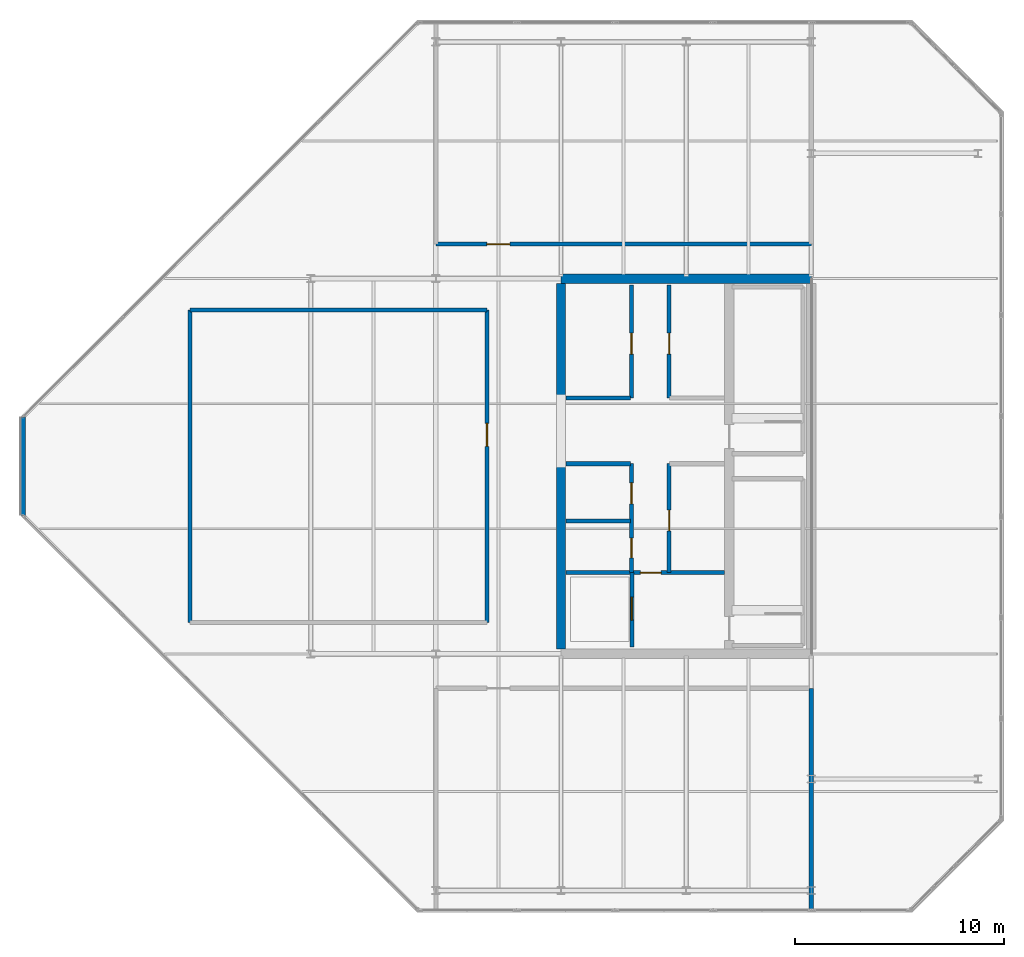
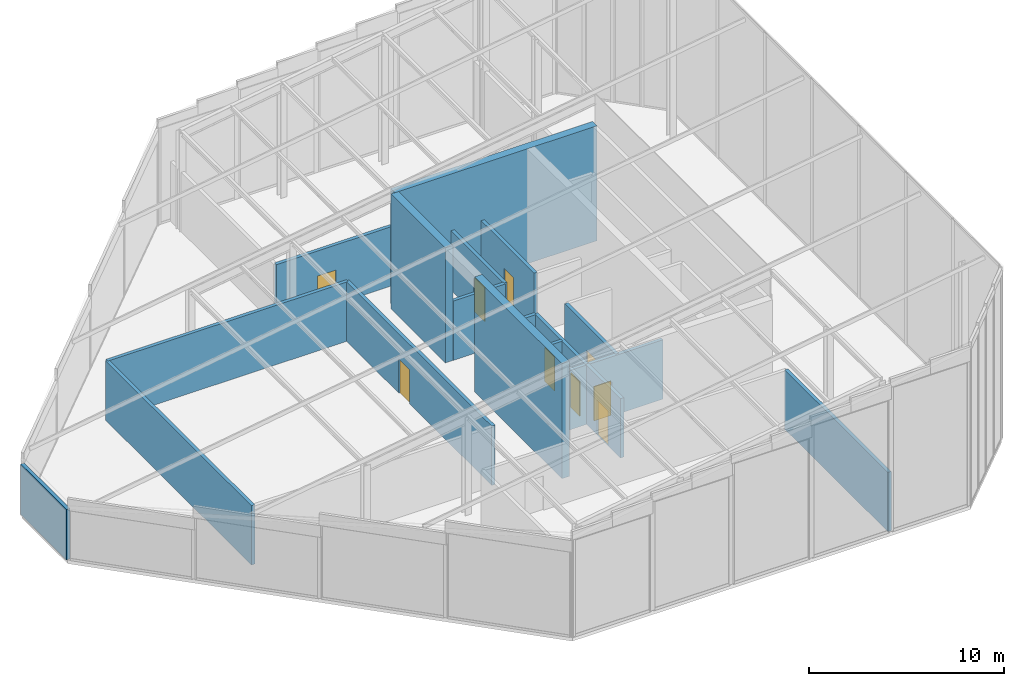
# One storey, part 25 of 30: 18 walls, 9 doors, 9 openings.
"""IFC4 building model written with IfcOpenShell, lengths in metres."""

from ifc_helpers import new_model, si_unit, direction, frame, frame_2d, origin, place, context, subcontext, project, spatial, rectangle, extrude, material, layer, layer_set, type_object, element, fill, save


model = new_model("IFC4")

# Units and contexts
model_context = context("Model", 3, precision=1e-05, world=origin(), true_north=direction((0.0, 1.0)))
body_context = subcontext(model_context, "Body", "Model", "MODEL_VIEW")
ifc_project = project(units=[si_unit("LENGTHUNIT", "METRE"), si_unit("AREAUNIT", "SQUARE_METRE"), si_unit("VOLUMEUNIT", "CUBIC_METRE"), si_unit("PLANEANGLEUNIT", "RADIAN"), si_unit("MASSUNIT", "GRAM", prefix="KILO")], contexts=[model_context])

# Site, building, storey
site_placement = place(None, origin())
site = spatial("IfcSite", under=ifc_project, at=site_placement, CompositionType="ELEMENT")
building_placement = place(site_placement, origin())
building = spatial("IfcBuilding", under=site, at=building_placement, Name="Tanjung Sevakor Pilgrim Tower", CompositionType="ELEMENT")
storey_placement = place(building_placement, frame((0.0, 0.0, 287.760009765625)))
storey = spatial("IfcBuildingStorey", under=building, at=storey_placement, Name="L80", CompositionType="ELEMENT", Elevation=287.760009765625)

# Walls
ifc_material_1 = material(Name="Concrete C60/75", Category="concrete")
ifc_layer_1 = layer(ifc_material_1, 0.449951171875)
ifc_layer_set_1 = layer_set([ifc_layer_1], Name="WALL-CW-450")
wall_type_1 = type_object("IfcWallType", Name="WALL-CW-450", PredefinedType="SHEAR", material=ifc_layer_set_1)
wall_1_placement = place(storey_placement, frame((90.0, 42.60009765625, 0.0), z_axis=(0.0, 0.0, 1.0), x_axis=(-1.0, 0.0, 0.0)))
element("IfcWall", 1, at=wall_1_placement, inside=storey, type_object=wall_type_1, Name="L80 E Core North Shear Wall", PredefinedType="SHEAR", context=body_context, shape_type="SweptSolid", body=[
    extrude(rectangle(XDim=12.0, YDim=0.449951171875, at=frame_2d((6.0, 0.0))), origin(), (0.0, 0.0, 1.0), 7.209228515625),
])
wall_2_placement = place(storey_placement, frame((78.0, 24.824951171875, 0.0), z_axis=(0.0, 0.0, 1.0), x_axis=(0.0, 1.0, 0.0)))
element("IfcWall", 2, at=wall_2_placement, inside=storey, type_object=wall_type_1, Name="L80 E Core Inner Shear Wall South", PredefinedType="SHEAR", context=body_context, shape_type="SweptSolid", body=[
    extrude(rectangle(XDim=8.97509765625, YDim=0.449951171875, at=frame_2d((4.487548828125, 0.0))), origin(), (0.0, 0.0, 1.0), 7.209228515625),
])
wall_3_placement = place(storey_placement, frame((78.0, 36.800048828125, 0.0), z_axis=(0.0, 0.0, 1.0), x_axis=(0.0, 1.0, 0.0)))
element("IfcWall", 3, at=wall_3_placement, inside=storey, type_object=wall_type_1, Name="L80 E Core Inner Shear Wall North", PredefinedType="SHEAR", context=body_context, shape_type="SweptSolid", body=[
    extrude(rectangle(XDim=5.574951171875, YDim=0.449951171875, at=frame_2d((2.78759765625, 0.0))), origin(), (0.0, 0.0, 1.0), 7.209228515625),
])
ifc_material_2 = material(Name="Precast concrete C45/55", Category="concrete")
ifc_layer_2 = layer(ifc_material_2, 0.219970703125)
ifc_layer_set_2 = layer_set([ifc_layer_2], Name="WT-EW-STN4")
wall_type_2 = type_object("IfcWallType", Name="WT-EW-STN4", PredefinedType="SOLIDWALL", material=ifc_layer_set_2)
wall_4_placement = place(storey_placement, frame((52.2099609375, 35.954345703125, 0.0), z_axis=(0.0, 0.0, 1.0), x_axis=(0.0, -1.0, 0.0)))
element("IfcWall", 4, at=wall_4_placement, inside=storey, type_object=wall_type_2, Name="L80 EAST Exterior Wall 7", PredefinedType="SOLIDWALL", context=body_context, shape_type="SweptSolid", body=[
    extrude(rectangle(XDim=4.708740234375, YDim=0.219970703125, at=frame_2d((2.3544921875, 0.0))), origin(), (0.0, 0.0, 1.0), 3.1572265625),
])

# Wall, opening, door
ifc_material_3 = material(Name="Concrete C40/50", Category="concrete")
ifc_layer_3 = layer(ifc_material_3, 0.199951171875)
ifc_layer_set_3 = layer_set([ifc_layer_3], Name="WT-FPRT-200")
wall_type_3 = type_object("IfcWallType", Name="WT-FPRT-200", PredefinedType="SOLIDWALL", material=ifc_layer_set_3)
wall_5_placement = place(storey_placement, frame((81.39990234375, 24.919921875, 0.0), z_axis=(0.0, 0.0, 1.0), x_axis=(0.0, 1.0, 0.0)))
wall_5 = element("IfcWall", 5, at=wall_5_placement, inside=storey, type_object=wall_type_3, Name="L80 Partition IW-L80-001", PredefinedType="SOLIDWALL", context=body_context, shape_type="SweptSolid", body=[
    extrude(rectangle(XDim=3.580078125, YDim=0.199951171875, at=frame_2d((1.7900390625, 0.0))), origin(), (0.0, 0.0, 1.0), 3.719970703125),
])
opening_1_placement = place(wall_5_placement, frame((1.300048828125, 0.0, 0.0)))
opening_1 = element("IfcOpeningElement", 6, at=opening_1_placement, cuts=wall_5, Name="Opening LD-1100", PredefinedType="OPENING", context=body_context, shape_type="SweptSolid", body=[
    extrude(rectangle(XDim=1.10009765625, YDim=2.199951171875, at=frame_2d((0.550048828125, 1.10009765625))), frame((0.0, 0.10986328125, 0.0), z_axis=(0.0, -1.0, 0.0), x_axis=(1.0, 0.0, 0.0)), (0.0, 0.0, 1.0), 0.219970703125),
])
ifc_material_4 = material(Name="Brushed Stainless Steel S355J2", Category="steel")
door_type_1 = type_object("IfcDoorType", Name="DT-LIFT-1100", OperationType="SLIDING_TO_LEFT", PredefinedType="DOOR", material=ifc_material_4)
door_1_placement = place(opening_1_placement, origin())
door_1 = element("IfcDoor", 7, at=door_1_placement, inside=storey, type_object=door_type_1, Name="LD-FL-E", OperationType="SLIDING_TO_LEFT", OverallHeight=2.199951171875, OverallWidth=1.10009765625, PredefinedType="DOOR", context=body_context, shape_type="SweptSolid", body=[
    extrude(rectangle(XDim=1.10009765625, YDim=2.199951171875, at=frame_2d((0.550048828125, 1.10009765625))), frame((0.0, 0.02490234375, 0.0), z_axis=(0.0, -1.0, 0.0), x_axis=(1.0, 0.0, 0.0)), (0.0, 0.0, 1.0), 0.050048828125),
])
fill(opening_1, door_1)

wall_6_placement = place(storey_placement, frame((78.2451171875, 28.5, 0.0), z_axis=(0.0, 0.0, 1.0), x_axis=(1.0, 0.0, 0.0)))
wall_6 = element("IfcWall", 8, at=wall_6_placement, inside=storey, type_object=wall_type_3, Name="L80 Partition IW-L80-002", PredefinedType="SOLIDWALL", context=body_context, shape_type="SweptSolid", body=[
    extrude(rectangle(XDim=7.5849609375, YDim=0.199951171875, at=frame_2d((3.79248046875, 0.0))), origin(), (0.0, 0.0, 1.0), 3.719970703125),
])
opening_2_placement = place(wall_6_placement, frame((3.554931640625, 0.0, 0.0)))
opening_2 = element("IfcOpeningElement", 9, at=opening_2_placement, cuts=wall_6, Name="Opening ID-FD1", PredefinedType="OPENING", context=body_context, shape_type="SweptSolid", body=[
    extrude(rectangle(XDim=1.0, YDim=2.14990234375, at=frame_2d((0.5, 1.074951171875))), frame((0.0, 0.10986328125, 0.0), z_axis=(0.0, -1.0, 0.0), x_axis=(1.0, 0.0, 0.0)), (0.0, 0.0, 1.0), 0.219970703125),
])
ifc_material_5 = material(Name="Fire-Rated Steel S355J2", Category="steel")
door_type_2 = type_object("IfcDoorType", Name="DT-FIRE-1000", OperationType="NOTDEFINED", PredefinedType="DOOR", material=ifc_material_5)
door_2_placement = place(opening_2_placement, origin())
door_2 = element("IfcDoor", 10, at=door_2_placement, inside=storey, type_object=door_type_2, Name="Fire Lobby Door E", OperationType="SINGLE_SWING_RIGHT", OverallHeight=2.14990234375, OverallWidth=1.0, PredefinedType="DOOR", context=body_context, shape_type="SweptSolid", body=[
    extrude(rectangle(XDim=1.0, YDim=2.14990234375, at=frame_2d((0.5, 1.074951171875))), frame((0.0, 0.02490234375, 0.0), z_axis=(0.0, -1.0, 0.0), x_axis=(1.0, 0.0, 0.0)), (0.0, 0.0, 1.0), 0.050048828125),
])
fill(opening_2, door_2)

wall_7_placement = place(storey_placement, frame((83.179931640625, 28.5, 0.0), z_axis=(0.0, 0.0, 1.0), x_axis=(0.0, 1.0, 0.0)))
wall_7 = element("IfcWall", 11, at=wall_7_placement, inside=storey, type_object=wall_type_3, Name="L80 Partition IW-L80-004", PredefinedType="SOLIDWALL", context=body_context, shape_type="SweptSolid", body=[
    extrude(rectangle(XDim=5.219970703125, YDim=0.199951171875, at=frame_2d((2.60986328125, 0.0))), origin(), (0.0, 0.0, 1.0), 3.719970703125),
])
opening_3_placement = place(wall_7_placement, frame((2.0, 0.0, 0.0)))
opening_3 = element("IfcOpeningElement", 12, at=opening_3_placement, cuts=wall_7, Name="Opening ID-FD1", PredefinedType="OPENING", context=body_context, shape_type="SweptSolid", body=[
    extrude(rectangle(XDim=1.0, YDim=2.14990234375, at=frame_2d((0.5, 1.074951171875))), frame((0.0, 0.10986328125, 0.0), z_axis=(0.0, -1.0, 0.0), x_axis=(1.0, 0.0, 0.0)), (0.0, 0.0, 1.0), 0.219970703125),
])
door_3_placement = place(opening_3_placement, origin())
door_3 = element("IfcDoor", 13, at=door_3_placement, inside=storey, type_object=door_type_2, Name="L80 Core Plant Door", OperationType="SINGLE_SWING_LEFT", OverallHeight=2.14990234375, OverallWidth=1.0, PredefinedType="DOOR", context=body_context, shape_type="SweptSolid", body=[
    extrude(rectangle(XDim=1.0, YDim=2.14990234375, at=frame_2d((0.5, 1.074951171875))), frame((0.0, 0.02490234375, 0.0), z_axis=(0.0, -1.0, 0.0), x_axis=(1.0, 0.0, 0.0)), (0.0, 0.0, 1.0), 0.050048828125),
])
fill(opening_3, door_3)

# Walls
for number, where, z_axis, x_axis, name in (
    (14, (78.2451171875, 30.97998046875, 0.0), (0.0, 0.0, 1.0), (1.0, 0.0, 0.0), "L80 Partition IW-L80-005"),
    (15, (78.2451171875, 33.719970703125, 0.0), (0.0, 0.0, 1.0), (1.0, 0.0, 0.0), "L80 Partition IW-L80-006"),
):
    element("IfcWall", number, at=place(storey_placement, frame(where, z_axis=z_axis, x_axis=x_axis)), inside=storey, type_object=wall_type_3, Name=name, PredefinedType="SOLIDWALL", context=body_context, shape_type="SweptSolid", body=[
        extrude(rectangle(XDim=3.074951171875, YDim=0.199951171875, at=frame_2d((1.53759765625, 0.0))), origin(), (0.0, 0.0, 1.0), 3.719970703125),
    ])

# Wall, openings, doors
wall_8_placement = place(storey_placement, frame((81.3798828125, 28.5, 0.0), z_axis=(0.0, 0.0, 1.0), x_axis=(0.0, 1.0, 0.0)))
wall_8 = element("IfcWall", 16, at=wall_8_placement, inside=storey, type_object=wall_type_3, Name="L80 Partition IW-L80-007", PredefinedType="SOLIDWALL", context=body_context, shape_type="SweptSolid", body=[
    extrude(rectangle(XDim=5.219970703125, YDim=0.199951171875, at=frame_2d((2.60986328125, 0.0))), origin(), (0.0, 0.0, 1.0), 3.719970703125),
])
opening_4_placement = place(wall_8_placement, frame((0.699951171875, 0.0, 0.0)))
opening_4 = element("IfcOpeningElement", 17, at=opening_4_placement, cuts=wall_8, Name="Opening ID-FD2", PredefinedType="OPENING", context=body_context, shape_type="SweptSolid", body=[
    extrude(rectangle(XDim=0.949951171875, YDim=2.14990234375, at=frame_2d((0.47509765625, 1.074951171875))), frame((0.0, 0.10986328125, 0.0), z_axis=(0.0, -1.0, 0.0), x_axis=(1.0, 0.0, 0.0)), (0.0, 0.0, 1.0), 0.219970703125),
])
opening_5_placement = place(wall_8_placement, frame((3.300048828125, 0.0, 0.0)))
opening_5 = element("IfcOpeningElement", 18, at=opening_5_placement, cuts=wall_8, Name="Opening ID-FD1", PredefinedType="OPENING", context=body_context, shape_type="SweptSolid", body=[
    extrude(rectangle(XDim=1.0, YDim=2.14990234375, at=frame_2d((0.5, 1.074951171875))), frame((0.0, 0.10986328125, 0.0), z_axis=(0.0, -1.0, 0.0), x_axis=(1.0, 0.0, 0.0)), (0.0, 0.0, 1.0), 0.219970703125),
])
door_4_placement = place(opening_5_placement, origin())
door_4 = element("IfcDoor", 19, at=door_4_placement, inside=storey, type_object=door_type_2, Name="L80 Core AHU Plant Door", OperationType="SINGLE_SWING_LEFT", OverallHeight=2.14990234375, OverallWidth=1.0, PredefinedType="DOOR", context=body_context, shape_type="SweptSolid", body=[
    extrude(rectangle(XDim=1.0, YDim=2.14990234375, at=frame_2d((0.5, 1.074951171875))), frame((0.0, 0.02490234375, 0.0), z_axis=(0.0, -1.0, 0.0), x_axis=(1.0, 0.0, 0.0)), (0.0, 0.0, 1.0), 0.050048828125),
])
fill(opening_5, door_4)
ifc_material_6 = material(Name="Fire-Rated Timber", Category="wood")
door_type_3 = type_object("IfcDoorType", Name="DT-FIRE-950", OperationType="NOTDEFINED", PredefinedType="DOOR", material=ifc_material_6)
door_5_placement = place(opening_4_placement, origin())
door_5 = element("IfcDoor", 20, at=door_5_placement, inside=storey, type_object=door_type_3, Name="L80 Core Accessible WC Door", OperationType="SINGLE_SWING_RIGHT", OverallHeight=2.14990234375, OverallWidth=0.949951171875, PredefinedType="DOOR", context=body_context, shape_type="SweptSolid", body=[
    extrude(rectangle(XDim=0.949951171875, YDim=2.14990234375, at=frame_2d((0.47509765625, 1.074951171875))), frame((0.0, 0.02490234375, 0.0), z_axis=(0.0, -1.0, 0.0), x_axis=(1.0, 0.0, 0.0)), (0.0, 0.0, 1.0), 0.050048828125),
])
fill(opening_4, door_5)

# Wall, opening, door
wall_9_placement = place(storey_placement, frame((83.179931640625, 36.8798828125, 0.0), z_axis=(0.0, 0.0, 1.0), x_axis=(0.0, 1.0, 0.0)))
wall_9 = element("IfcWall", 21, at=wall_9_placement, inside=storey, type_object=wall_type_3, Name="L80 Partition IW-L80-009", PredefinedType="SOLIDWALL", context=body_context, shape_type="SweptSolid", body=[
    extrude(rectangle(XDim=5.420166015625, YDim=0.199951171875, at=frame_2d((2.7099609375, 0.0))), origin(), (0.0, 0.0, 1.0), 3.719970703125),
])
opening_6_placement = place(wall_9_placement, frame((2.10009765625, 0.0, 0.0)))
opening_6 = element("IfcOpeningElement", 22, at=opening_6_placement, cuts=wall_9, Name="Opening ID-FD1", PredefinedType="OPENING", context=body_context, shape_type="SweptSolid", body=[
    extrude(rectangle(XDim=1.0, YDim=2.14990234375, at=frame_2d((0.5, 1.074951171875))), frame((0.0, 0.10986328125, 0.0), z_axis=(0.0, -1.0, 0.0), x_axis=(1.0, 0.0, 0.0)), (0.0, 0.0, 1.0), 0.219970703125),
])
door_6_placement = place(opening_6_placement, origin())
door_6 = element("IfcDoor", 23, at=door_6_placement, inside=storey, type_object=door_type_2, Name="L80 Core Switchroom Door", OperationType="SINGLE_SWING_RIGHT", OverallHeight=2.14990234375, OverallWidth=1.0, PredefinedType="DOOR", context=body_context, shape_type="SweptSolid", body=[
    extrude(rectangle(XDim=1.0, YDim=2.14990234375, at=frame_2d((0.5, 1.074951171875))), frame((0.0, 0.02490234375, 0.0), z_axis=(0.0, -1.0, 0.0), x_axis=(1.0, 0.0, 0.0)), (0.0, 0.0, 1.0), 0.050048828125),
])
fill(opening_6, door_6)

# Wall
wall_10_placement = place(storey_placement, frame((78.2451171875, 36.8798828125, 0.0), z_axis=(0.0, 0.0, 1.0), x_axis=(1.0, 0.0, 0.0)))
element("IfcWall", 24, at=wall_10_placement, inside=storey, type_object=wall_type_3, Name="L80 Partition IW-L80-010", PredefinedType="SOLIDWALL", context=body_context, shape_type="SweptSolid", body=[
    extrude(rectangle(XDim=3.074951171875, YDim=0.199951171875, at=frame_2d((1.53759765625, 0.0))), origin(), (0.0, 0.0, 1.0), 3.719970703125),
])

# Wall, opening, door
wall_11_placement = place(storey_placement, frame((81.3798828125, 36.8798828125, 0.0), z_axis=(0.0, 0.0, 1.0), x_axis=(0.0, 1.0, 0.0)))
wall_11 = element("IfcWall", 25, at=wall_11_placement, inside=storey, type_object=wall_type_3, Name="L80 Partition IW-L80-011", PredefinedType="SOLIDWALL", context=body_context, shape_type="SweptSolid", body=[
    extrude(rectangle(XDim=5.420166015625, YDim=0.199951171875, at=frame_2d((2.7099609375, 0.0))), origin(), (0.0, 0.0, 1.0), 3.719970703125),
])
opening_7_placement = place(wall_11_placement, frame((2.10009765625, 0.0, 0.0)))
opening_7 = element("IfcOpeningElement", 26, at=opening_7_placement, cuts=wall_11, Name="Opening ID-FD1", PredefinedType="OPENING", context=body_context, shape_type="SweptSolid", body=[
    extrude(rectangle(XDim=1.0, YDim=2.14990234375, at=frame_2d((0.5, 1.074951171875))), frame((0.0, 0.10986328125, 0.0), z_axis=(0.0, -1.0, 0.0), x_axis=(1.0, 0.0, 0.0)), (0.0, 0.0, 1.0), 0.219970703125),
])
door_7_placement = place(opening_7_placement, origin())
door_7 = element("IfcDoor", 27, at=door_7_placement, inside=storey, type_object=door_type_2, Name="L80 Crown Plant Door", OperationType="SINGLE_SWING_LEFT", OverallHeight=2.14990234375, OverallWidth=1.0, PredefinedType="DOOR", context=body_context, shape_type="SweptSolid", body=[
    extrude(rectangle(XDim=1.0, YDim=2.14990234375, at=frame_2d((0.5, 1.074951171875))), frame((0.0, 0.02490234375, 0.0), z_axis=(0.0, -1.0, 0.0), x_axis=(1.0, 0.0, 0.0)), (0.0, 0.0, 1.0), 0.050048828125),
])
fill(opening_7, door_7)

# Walls
wall_12_placement = place(storey_placement, frame((60.199951171875, 41.10009765625, 0.0), z_axis=(0.0, 0.0, 1.0), x_axis=(1.0, 0.0, 0.0)))
element("IfcWall", 28, at=wall_12_placement, inside=storey, type_object=wall_type_3, Name="L80 Partition IW-L80-013", PredefinedType="SOLIDWALL", context=body_context, shape_type="SweptSolid", body=[
    extrude(rectangle(XDim=14.25, YDim=0.199951171875, at=frame_2d((7.125, 0.0))), origin(), (0.0, 0.0, 1.0), 3.719970703125),
])
wall_13_placement = place(storey_placement, frame((60.199951171875, 26.10009765625, 0.0), z_axis=(0.0, 0.0, 1.0), x_axis=(0.0, 1.0, 0.0)))
element("IfcWall", 29, at=wall_13_placement, inside=storey, type_object=wall_type_3, Name="L80 Partition IW-L80-014", PredefinedType="SOLIDWALL", context=body_context, shape_type="SweptSolid", body=[
    extrude(rectangle(XDim=15.0, YDim=0.199951171875, at=frame_2d((7.5, 0.0))), origin(), (0.0, 0.0, 1.0), 3.719970703125),
])

# Wall, opening, door
wall_14_placement = place(storey_placement, frame((74.449951171875, 26.10009765625, 0.0), z_axis=(0.0, 0.0, 1.0), x_axis=(0.0, 1.0, 0.0)))
wall_14 = element("IfcWall", 30, at=wall_14_placement, inside=storey, type_object=wall_type_3, Name="L80 Partition IW-L80-015", PredefinedType="SOLIDWALL", context=body_context, shape_type="SweptSolid", body=[
    extrude(rectangle(XDim=15.0, YDim=0.199951171875, at=frame_2d((7.5, 0.0))), origin(), (0.0, 0.0, 1.0), 3.719970703125),
])
opening_8_placement = place(wall_14_placement, frame((8.449951171875, 0.0, 0.0)))
opening_8 = element("IfcOpeningElement", 31, at=opening_8_placement, cuts=wall_14, Name="Opening ID-FD0", PredefinedType="OPENING", context=body_context, shape_type="SweptSolid", body=[
    extrude(rectangle(XDim=1.10009765625, YDim=2.14990234375, at=frame_2d((0.550048828125, 1.074951171875))), frame((0.0, 0.10986328125, 0.0), z_axis=(0.0, -1.0, 0.0), x_axis=(1.0, 0.0, 0.0)), (0.0, 0.0, 1.0), 0.219970703125),
])
ifc_material_7 = material(Name="Fire-Rated Steel S355J2", Category="steel")
door_type_4 = type_object("IfcDoorType", Name="DT-FIRE-1100", OperationType="NOTDEFINED", PredefinedType="DOOR", material=ifc_material_7)
door_8_placement = place(opening_8_placement, origin())
door_8 = element("IfcDoor", 32, at=door_8_placement, inside=storey, type_object=door_type_4, Name="L80 Lift Machinery East Door", OperationType="SINGLE_SWING_RIGHT", OverallHeight=2.14990234375, OverallWidth=1.10009765625, PredefinedType="DOOR", context=body_context, shape_type="SweptSolid", body=[
    extrude(rectangle(XDim=1.10009765625, YDim=2.14990234375, at=frame_2d((0.550048828125, 1.074951171875))), frame((0.0, 0.02490234375, 0.0), z_axis=(0.0, -1.0, 0.0), x_axis=(1.0, 0.0, 0.0)), (0.0, 0.0, 1.0), 0.050048828125),
])
fill(opening_8, door_8)

# Wall
wall_15_placement = place(storey_placement, frame((90.0, 12.340087890625, 0.0), z_axis=(0.0, 0.0, 1.0), x_axis=(0.0, 1.0, 0.0)))
element("IfcWall", 33, at=wall_15_placement, inside=storey, type_object=wall_type_3, Name="L80 Partition IW-L80-018", PredefinedType="SOLIDWALL", context=body_context, shape_type="SweptSolid", body=[
    extrude(rectangle(XDim=10.60986328125, YDim=0.199951171875, at=frame_2d((5.304931640625, 0.0))), origin(), (0.0, 0.0, 1.0), 3.719970703125),
])

# Wall, opening, door
wall_16_placement = place(storey_placement, frame((72.0, 44.25, 0.0), z_axis=(0.0, 0.0, 1.0), x_axis=(1.0, 0.0, 0.0)))
wall_16 = element("IfcWall", 34, at=wall_16_placement, inside=storey, type_object=wall_type_3, Name="L80 Partition IW-L80-019", PredefinedType="SOLIDWALL", context=body_context, shape_type="SweptSolid", body=[
    extrude(rectangle(XDim=18.0, YDim=0.199951171875, at=frame_2d((9.0, 0.0))), origin(), (0.0, 0.0, 1.0), 3.719970703125),
])
opening_9_placement = place(wall_16_placement, frame((2.449951171875, 0.0, 0.0)))
opening_9 = element("IfcOpeningElement", 35, at=opening_9_placement, cuts=wall_16, Name="Opening ID-FD0", PredefinedType="OPENING", context=body_context, shape_type="SweptSolid", body=[
    extrude(rectangle(XDim=1.10009765625, YDim=2.14990234375, at=frame_2d((0.550048828125, 1.074951171875))), frame((0.0, 0.10986328125, 0.0), z_axis=(0.0, -1.0, 0.0), x_axis=(1.0, 0.0, 0.0)), (0.0, 0.0, 1.0), 0.219970703125),
])
door_9_placement = place(opening_9_placement, origin())
door_9 = element("IfcDoor", 36, at=door_9_placement, inside=storey, type_object=door_type_4, Name="L80 North Switchroom Door", OperationType="SINGLE_SWING_RIGHT", OverallHeight=2.14990234375, OverallWidth=1.10009765625, PredefinedType="DOOR", context=body_context, shape_type="SweptSolid", body=[
    extrude(rectangle(XDim=1.10009765625, YDim=2.14990234375, at=frame_2d((0.550048828125, 1.074951171875))), frame((0.0, 0.02490234375, 0.0), z_axis=(0.0, -1.0, 0.0), x_axis=(1.0, 0.0, 0.0)), (0.0, 0.0, 1.0), 0.050048828125),
])
fill(opening_9, door_9)

save(model, "model.ifc")
